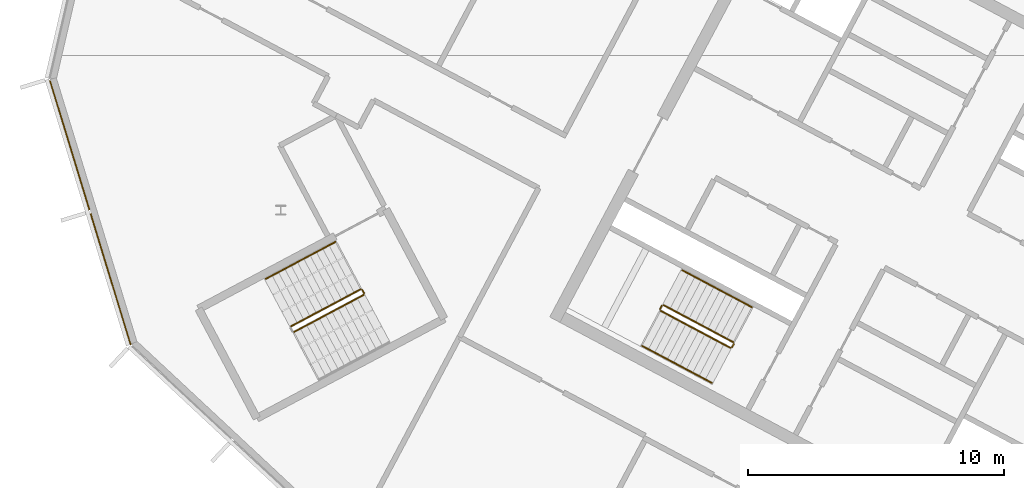
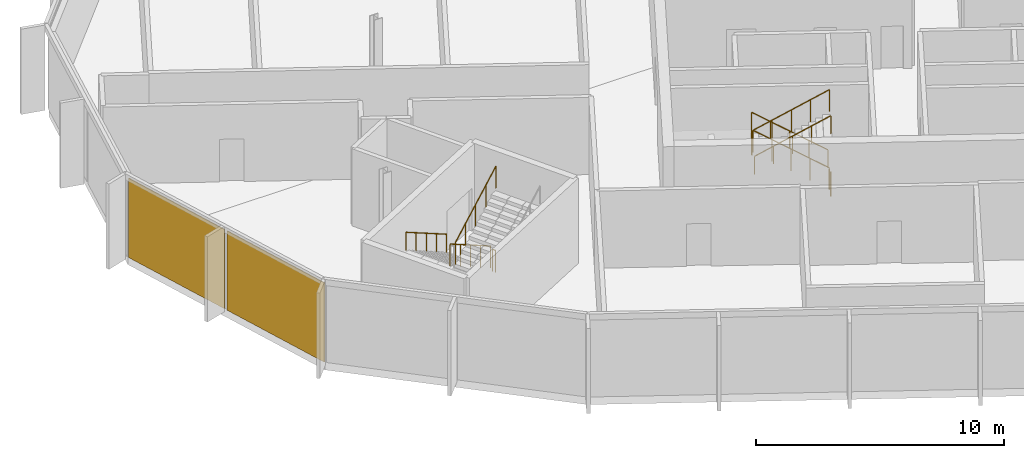
# One storey, part 11 of 16: 10 railings, 2 coverings, 1 element without a shape of its own.
"""IFC4 building model written with IfcOpenShell, lengths in metres."""

from ifc_helpers import new_model, si_unit, direction, frame, origin, origin_2d, place, context, subcontext, project, spatial, polyline, rectangle, outline, extrude, material, layer, layer_set, type_object, element, aggregate, save


model = new_model("IFC4")

# Units and contexts
model_context = context("Model", 3, precision=1e-05, world=origin(), true_north=direction((0.0, 1.0)))
body_context = subcontext(model_context, "Body", "Model", "MODEL_VIEW")
ifc_project = project(units=[si_unit("LENGTHUNIT", "METRE"), si_unit("AREAUNIT", "SQUARE_METRE"), si_unit("VOLUMEUNIT", "CUBIC_METRE"), si_unit("PLANEANGLEUNIT", "RADIAN"), si_unit("MASSUNIT", "GRAM", prefix="KILO")], contexts=[model_context])

# Site, building, storey
site_placement = place(None, origin())
site = spatial("IfcSite", under=ifc_project, at=site_placement, CompositionType="ELEMENT")
building_placement = place(site_placement, origin())
building = spatial("IfcBuilding", under=site, at=building_placement, Name="Cormorant Relay Tower", CompositionType="ELEMENT")
storey_placement = place(building_placement, frame((0.0, 0.0, 345.0)))
storey = spatial("IfcBuildingStorey", under=building, at=storey_placement, Name="C5", CompositionType="ELEMENT", Elevation=345.0)

# Curtain wall, coverings
ifc_material_1 = material(Name="Aluminium 6063-T6 anodised bronze", Category="aluminium")
ifc_layer_1 = layer(ifc_material_1, 0.199951171875)
ifc_layer_set_1 = layer_set([ifc_layer_1], Name="CW3 crown screen wall")
curtain_wall_type = type_object("IfcCurtainWallType", Name="CW3 crown screen wall", PredefinedType="NOTDEFINED", material=ifc_layer_set_1)
curtain_wall_placement = place(storey_placement, origin())
curtain_wall = element("IfcCurtainWall", 1, at=curtain_wall_placement, inside=storey, type_object=curtain_wall_type, Name="CW3 curtain wall 19", PredefinedType="NOTDEFINED")
ifc_material_2 = material(Name="Perforated bronze anodised aluminium screen", Category="aluminium")
ifc_layer_2 = layer(ifc_material_2, 0.0400390625)
ifc_layer_set_2 = layer_set([ifc_layer_2], Name="CW3 perforated bronze screen panel 40")
covering_type = type_object("IfcCoveringType", Name="CW3 perforated bronze screen panel 40", PredefinedType="CLADDING", material=ifc_layer_set_2)
covering_1_placement = place(storey_placement, frame((-59.9443359375, 17.78857421875, 0.0), z_axis=(0.0, 0.0, 1.0), x_axis=(0.292371704723, -0.956304755963, 0.0)))
covering_1 = element("IfcCovering", 2, at=covering_1_placement, type_object=covering_type, Name="CW3 panel X00", PredefinedType="CLADDING", context=body_context, shape_type="SweptSolid", body=[
    extrude(rectangle(XDim=5.28515625, YDim=0.0400390625, at=origin_2d()), origin(), (0.0, 0.0, 1.0), 3.89990234375),
])
covering_2_placement = place(storey_placement, frame((-58.344482421875, 12.55517578125, 0.0), z_axis=(0.0, 0.0, 1.0), x_axis=(0.292371704723, -0.956304755963, 0.0)))
covering_2 = element("IfcCovering", 3, at=covering_2_placement, type_object=covering_type, Name="CW3 panel X01", PredefinedType="CLADDING", context=body_context, shape_type="SweptSolid", body=[
    extrude(rectangle(XDim=5.360107421875, YDim=0.0400390625, at=origin_2d()), origin(), (0.0, 0.0, 1.0), 3.89990234375),
])
aggregate(curtain_wall, [covering_1, covering_2])

# Railings
ifc_material_3 = material(Name="Steel ASTM A572 Grade 50 (Fy 345 MPa)", Category="steel")
railing_type_1 = type_object("IfcRailingType", Name="Stair guard 1100", PredefinedType="GUARDRAIL", material=ifc_material_3)
railing_1_placement = place(storey_placement, frame((-33.9921875, 10.08935546875, 0.175048828125)))
element("IfcRailing", 4, at=railing_1_placement, inside=storey, type_object=railing_type_1, Name="C5 A2 stair guard 1", PredefinedType="GUARDRAIL", context=body_context, shape_type="SweptSolid", body=[
    extrude(outline(polyline([(0.022216796875, 0.00927734375), (0.00927734375, 0.022216796875), (-0.00927734375, 0.022216796875), (-0.022216796875, 0.00927734375), (-0.022216796875, -0.00927734375), (-0.00927734375, -0.022216796875), (0.00927734375, -0.022216796875), (0.022216796875, -0.00927734375), (0.022216796875, 0.00927734375)])), frame((0.0, 0.0, 1.076171875), z_axis=(-0.748727239859, 0.398124736663, 0.530003975787), x_axis=(-0.469489399267, -0.882938108802, 0.0)), (0.0, 0.0, 1.0), 3.632080078125),
    extrude(outline(polyline([(0.019287109375, 0.008056640625), (0.008056640625, 0.019287109375), (-0.008056640625, 0.019287109375), (-0.019287109375, 0.008056640625), (-0.019287109375, -0.008056640625), (-0.008056640625, -0.019287109375), (0.008056640625, -0.019287109375), (0.019287109375, -0.008056640625), (0.019287109375, 0.008056640625)])), origin(), (0.0, 0.0, 1.0), 1.052001953125),
    extrude(outline(polyline([(0.019287109375, 0.008056640625), (0.008056640625, 0.019287109375), (-0.008056640625, 0.019287109375), (-0.019287109375, 0.008056640625), (-0.019287109375, -0.008056640625), (-0.008056640625, -0.019287109375), (0.008056640625, -0.019287109375), (0.019287109375, -0.008056640625), (0.019287109375, 0.008056640625)])), frame((-0.679931640625, 0.361572265625, 0.481201171875)), (0.0, 0.0, 1.0), 1.052001953125),
    extrude(outline(polyline([(0.019287109375, 0.008056640625), (0.008056640625, 0.019287109375), (-0.008056640625, 0.019287109375), (-0.019287109375, 0.008056640625), (-0.019287109375, -0.008056640625), (-0.008056640625, -0.019287109375), (0.008056640625, -0.019287109375), (0.019287109375, -0.008056640625), (0.019287109375, 0.008056640625)])), frame((-1.35986328125, 0.72314453125, 0.96240234375)), (0.0, 0.0, 1.0), 1.052001953125),
    extrude(outline(polyline([(0.019287109375, 0.008056640625), (0.008056640625, 0.019287109375), (-0.008056640625, 0.019287109375), (-0.019287109375, 0.008056640625), (-0.019287109375, -0.008056640625), (-0.008056640625, -0.019287109375), (0.008056640625, -0.019287109375), (0.019287109375, -0.008056640625), (0.019287109375, 0.008056640625)])), frame((-2.03955078125, 1.08447265625, 1.44384765625)), (0.0, 0.0, 1.0), 1.052001953125),
    extrude(outline(polyline([(0.019287109375, 0.008056640625), (0.008056640625, 0.019287109375), (-0.008056640625, 0.019287109375), (-0.019287109375, 0.008056640625), (-0.019287109375, -0.008056640625), (-0.008056640625, -0.019287109375), (0.008056640625, -0.019287109375), (0.019287109375, -0.008056640625), (0.019287109375, 0.008056640625)])), frame((-2.719482421875, 1.446044921875, 1.925048828125)), (0.0, 0.0, 1.0), 1.052001953125),
])
railing_2_placement = place(storey_placement, frame((-36.779296875, 11.5146484375, 2.10009765625)))
element("IfcRailing", 5, at=railing_2_placement, inside=storey, type_object=railing_type_1, Name="C5 A2 stair guard 2", PredefinedType="GUARDRAIL", context=body_context, shape_type="SweptSolid", body=[
    extrude(outline(polyline([(0.022216796875, 0.00927734375), (0.00927734375, 0.022216796875), (-0.00927734375, 0.022216796875), (-0.022216796875, 0.00927734375), (-0.022216796875, -0.00927734375), (-0.00927734375, -0.022216796875), (0.00927734375, -0.022216796875), (0.022216796875, -0.00927734375), (0.022216796875, 0.00927734375)])), frame((0.0, 0.0, 1.076171875), z_axis=(-0.469234640946, -0.883073525669, 0.0), x_axis=(0.883073525669, -0.469234640946, 0.0)), (0.0, 0.0, 1.0), 0.14990234375),
    extrude(outline(polyline([(0.019287109375, 0.008056640625), (0.008056640625, 0.019287109375), (-0.008056640625, 0.019287109375), (-0.019287109375, 0.008056640625), (-0.019287109375, -0.008056640625), (-0.008056640625, -0.019287109375), (0.008056640625, -0.019287109375), (0.019287109375, -0.008056640625), (0.019287109375, 0.008056640625)])), origin(), (0.0, 0.0, 1.0), 1.052001953125),
    extrude(outline(polyline([(0.019287109375, 0.008056640625), (0.008056640625, 0.019287109375), (-0.008056640625, 0.019287109375), (-0.019287109375, 0.008056640625), (-0.019287109375, -0.008056640625), (-0.008056640625, -0.019287109375), (0.008056640625, -0.019287109375), (0.019287109375, -0.008056640625), (0.019287109375, 0.008056640625)])), frame((-0.0703125, -0.13232421875, 0.0)), (0.0, 0.0, 1.0), 1.052001953125),
])
railing_3_placement = place(storey_placement, frame((-36.8291015625, 11.314697265625, 2.27490234375)))
element("IfcRailing", 6, at=railing_3_placement, inside=storey, type_object=railing_type_1, Name="C5 A2 stair guard 3", PredefinedType="GUARDRAIL", context=body_context, shape_type="SweptSolid", body=[
    extrude(outline(polyline([(0.022216796875, 0.00927734375), (0.00927734375, 0.022216796875), (-0.00927734375, 0.022216796875), (-0.022216796875, 0.00927734375), (-0.022216796875, -0.00927734375), (-0.00927734375, -0.022216796875), (0.00927734375, -0.022216796875), (0.022216796875, -0.00927734375), (0.022216796875, 0.00927734375)])), frame((0.0, 0.0, 1.076171875), z_axis=(0.748727239859, -0.398124736663, 0.530003975787), x_axis=(0.469489399267, 0.882938108802, 0.0)), (0.0, 0.0, 1.0), 3.632080078125),
    extrude(outline(polyline([(0.019287109375, 0.008056640625), (0.008056640625, 0.019287109375), (-0.008056640625, 0.019287109375), (-0.019287109375, 0.008056640625), (-0.019287109375, -0.008056640625), (-0.008056640625, -0.019287109375), (0.008056640625, -0.019287109375), (0.019287109375, -0.008056640625), (0.019287109375, 0.008056640625)])), origin(), (0.0, 0.0, 1.0), 1.052001953125),
    extrude(outline(polyline([(0.019287109375, 0.008056640625), (0.008056640625, 0.019287109375), (-0.008056640625, 0.019287109375), (-0.019287109375, 0.008056640625), (-0.019287109375, -0.008056640625), (-0.008056640625, -0.019287109375), (0.008056640625, -0.019287109375), (0.019287109375, -0.008056640625), (0.019287109375, 0.008056640625)])), frame((0.679931640625, -0.361572265625, 0.481201171875)), (0.0, 0.0, 1.0), 1.052001953125),
    extrude(outline(polyline([(0.019287109375, 0.008056640625), (0.008056640625, 0.019287109375), (-0.008056640625, 0.019287109375), (-0.019287109375, 0.008056640625), (-0.019287109375, -0.008056640625), (-0.008056640625, -0.019287109375), (0.008056640625, -0.019287109375), (0.019287109375, -0.008056640625), (0.019287109375, 0.008056640625)])), frame((1.35986328125, -0.72314453125, 0.96240234375)), (0.0, 0.0, 1.0), 1.052001953125),
    extrude(outline(polyline([(0.019287109375, 0.008056640625), (0.008056640625, 0.019287109375), (-0.008056640625, 0.019287109375), (-0.019287109375, 0.008056640625), (-0.019287109375, -0.008056640625), (-0.008056640625, -0.019287109375), (0.008056640625, -0.019287109375), (0.019287109375, -0.008056640625), (0.019287109375, 0.008056640625)])), frame((2.03955078125, -1.08447265625, 1.44384765625)), (0.0, 0.0, 1.0), 1.052001953125),
    extrude(outline(polyline([(0.019287109375, 0.008056640625), (0.008056640625, 0.019287109375), (-0.008056640625, 0.019287109375), (-0.019287109375, 0.008056640625), (-0.019287109375, -0.008056640625), (-0.008056640625, -0.019287109375), (0.008056640625, -0.019287109375), (0.019287109375, -0.008056640625), (0.019287109375, 0.008056640625)])), frame((2.719482421875, -1.446044921875, 1.925048828125)), (0.0, 0.0, 1.0), 1.052001953125),
])
railing_4_placement = place(storey_placement, frame((-33.971435546875, 10.021728515625, 0.0)))
element("IfcRailing", 7, at=railing_4_placement, inside=storey, type_object=railing_type_1, Name="C5 A2 stair guard 4", PredefinedType="GUARDRAIL", context=body_context, shape_type="SweptSolid", body=[
    extrude(outline(polyline([(0.022216796875, 0.00927734375), (0.00927734375, 0.022216796875), (-0.00927734375, 0.022216796875), (-0.022216796875, 0.00927734375), (-0.022216796875, -0.00927734375), (-0.00927734375, -0.022216796875), (0.00927734375, -0.022216796875), (0.022216796875, -0.00927734375), (0.022216796875, 0.00927734375)])), frame((0.0, 0.0, 1.076171875), z_axis=(-0.470503732759, -0.882398003998, 0.0), x_axis=(0.882398003998, -0.470503732759, 0.0)), (0.0, 0.0, 1.0), 0.14990234375),
    extrude(outline(polyline([(0.019287109375, 0.008056640625), (0.008056640625, 0.019287109375), (-0.008056640625, 0.019287109375), (-0.019287109375, 0.008056640625), (-0.019287109375, -0.008056640625), (-0.008056640625, -0.019287109375), (0.008056640625, -0.019287109375), (0.019287109375, -0.008056640625), (0.019287109375, 0.008056640625)])), origin(), (0.0, 0.0, 1.0), 1.052001953125),
    extrude(outline(polyline([(0.019287109375, 0.008056640625), (0.008056640625, 0.019287109375), (-0.008056640625, 0.019287109375), (-0.019287109375, 0.008056640625), (-0.019287109375, -0.008056640625), (-0.008056640625, -0.019287109375), (0.008056640625, -0.019287109375), (0.019287109375, -0.008056640625), (0.019287109375, 0.008056640625)])), frame((-0.070556640625, -0.13232421875, 0.0)), (0.0, 0.0, 1.0), 1.052001953125),
])
railing_5_placement = place(storey_placement, frame((-48.5693359375, 12.155517578125, 0.175048828125)))
element("IfcRailing", 8, at=railing_5_placement, inside=storey, type_object=railing_type_1, Name="C5 RP1 stair guard 1", PredefinedType="GUARDRAIL", context=body_context, shape_type="SweptSolid", body=[
    extrude(outline(polyline([(0.022216796875, 0.00927734375), (0.00927734375, 0.022216796875), (-0.00927734375, 0.022216796875), (-0.022216796875, 0.00927734375), (-0.022216796875, -0.00927734375), (-0.00927734375, -0.022216796875), (0.00927734375, -0.022216796875), (0.022216796875, -0.00927734375), (0.022216796875, 0.00927734375)])), frame((0.0, 0.0, 1.076171875), z_axis=(-0.748727239859, -0.398124736663, 0.530003975787), x_axis=(0.469489399267, -0.882938108802, 0.0)), (0.0, 0.0, 1.0), 3.632080078125),
    extrude(outline(polyline([(0.019287109375, 0.008056640625), (0.008056640625, 0.019287109375), (-0.008056640625, 0.019287109375), (-0.019287109375, 0.008056640625), (-0.019287109375, -0.008056640625), (-0.008056640625, -0.019287109375), (0.008056640625, -0.019287109375), (0.019287109375, -0.008056640625), (0.019287109375, 0.008056640625)])), origin(), (0.0, 0.0, 1.0), 1.052001953125),
    extrude(outline(polyline([(0.019287109375, 0.008056640625), (0.008056640625, 0.019287109375), (-0.008056640625, 0.019287109375), (-0.019287109375, 0.008056640625), (-0.019287109375, -0.008056640625), (-0.008056640625, -0.019287109375), (0.008056640625, -0.019287109375), (0.019287109375, -0.008056640625), (0.019287109375, 0.008056640625)])), frame((-0.679931640625, -0.361572265625, 0.481201171875)), (0.0, 0.0, 1.0), 1.052001953125),
    extrude(outline(polyline([(0.019287109375, 0.008056640625), (0.008056640625, 0.019287109375), (-0.008056640625, 0.019287109375), (-0.019287109375, 0.008056640625), (-0.019287109375, -0.008056640625), (-0.008056640625, -0.019287109375), (0.008056640625, -0.019287109375), (0.019287109375, -0.008056640625), (0.019287109375, 0.008056640625)])), frame((-1.35986328125, -0.72314453125, 0.96240234375)), (0.0, 0.0, 1.0), 1.052001953125),
    extrude(outline(polyline([(0.019287109375, 0.008056640625), (0.008056640625, 0.019287109375), (-0.008056640625, 0.019287109375), (-0.019287109375, 0.008056640625), (-0.019287109375, -0.008056640625), (-0.008056640625, -0.019287109375), (0.008056640625, -0.019287109375), (0.019287109375, -0.008056640625), (0.019287109375, 0.008056640625)])), frame((-2.03955078125, -1.08447265625, 1.44384765625)), (0.0, 0.0, 1.0), 1.052001953125),
    extrude(outline(polyline([(0.019287109375, 0.008056640625), (0.008056640625, 0.019287109375), (-0.008056640625, 0.019287109375), (-0.019287109375, 0.008056640625), (-0.019287109375, -0.008056640625), (-0.008056640625, -0.019287109375), (0.008056640625, -0.019287109375), (0.019287109375, -0.008056640625), (0.019287109375, 0.008056640625)])), frame((-2.719482421875, -1.446044921875, 1.925048828125)), (0.0, 0.0, 1.0), 1.052001953125),
])
railing_6_placement = place(storey_placement, frame((-51.17138671875, 10.48876953125, 2.27490234375)))
element("IfcRailing", 9, at=railing_6_placement, inside=storey, type_object=railing_type_1, Name="C5 RP1 stair guard 3", PredefinedType="GUARDRAIL", context=body_context, shape_type="SweptSolid", body=[
    extrude(outline(polyline([(0.022216796875, 0.00927734375), (0.00927734375, 0.022216796875), (-0.00927734375, 0.022216796875), (-0.022216796875, 0.00927734375), (-0.022216796875, -0.00927734375), (-0.00927734375, -0.022216796875), (0.00927734375, -0.022216796875), (0.022216796875, -0.00927734375), (0.022216796875, 0.00927734375)])), frame((0.0, 0.0, 1.076171875), z_axis=(0.748747275397, 0.39806817173, 0.530018158408), x_axis=(-0.469427602063, 0.882970965786, 0.0)), (0.0, 0.0, 1.0), 3.632080078125),
    extrude(outline(polyline([(0.019287109375, 0.008056640625), (0.008056640625, 0.019287109375), (-0.008056640625, 0.019287109375), (-0.019287109375, 0.008056640625), (-0.019287109375, -0.008056640625), (-0.008056640625, -0.019287109375), (0.008056640625, -0.019287109375), (0.019287109375, -0.008056640625), (0.019287109375, 0.008056640625)])), origin(), (0.0, 0.0, 1.0), 1.052001953125),
    extrude(outline(polyline([(0.019287109375, 0.008056640625), (0.008056640625, 0.019287109375), (-0.008056640625, 0.019287109375), (-0.019287109375, 0.008056640625), (-0.019287109375, -0.008056640625), (-0.008056640625, -0.019287109375), (0.008056640625, -0.019287109375), (0.019287109375, -0.008056640625), (0.019287109375, 0.008056640625)])), frame((0.679931640625, 0.361328125, 0.481201171875)), (0.0, 0.0, 1.0), 1.052001953125),
    extrude(outline(polyline([(0.019287109375, 0.008056640625), (0.008056640625, 0.019287109375), (-0.008056640625, 0.019287109375), (-0.019287109375, 0.008056640625), (-0.019287109375, -0.008056640625), (-0.008056640625, -0.019287109375), (0.008056640625, -0.019287109375), (0.019287109375, -0.008056640625), (0.019287109375, 0.008056640625)])), frame((1.35986328125, 0.722900390625, 0.96240234375)), (0.0, 0.0, 1.0), 1.052001953125),
    extrude(outline(polyline([(0.019287109375, 0.008056640625), (0.008056640625, 0.019287109375), (-0.008056640625, 0.019287109375), (-0.019287109375, 0.008056640625), (-0.019287109375, -0.008056640625), (-0.008056640625, -0.019287109375), (0.008056640625, -0.019287109375), (0.019287109375, -0.008056640625), (0.019287109375, 0.008056640625)])), frame((2.03955078125, 1.08447265625, 1.44384765625)), (0.0, 0.0, 1.0), 1.052001953125),
    extrude(outline(polyline([(0.019287109375, 0.008056640625), (0.008056640625, 0.019287109375), (-0.008056640625, 0.019287109375), (-0.019287109375, 0.008056640625), (-0.019287109375, -0.008056640625), (-0.008056640625, -0.019287109375), (0.008056640625, -0.019287109375), (0.019287109375, -0.008056640625), (0.019287109375, 0.008056640625)])), frame((2.719482421875, 1.44580078125, 1.925048828125)), (0.0, 0.0, 1.0), 1.052001953125),
])
railing_7_placement = place(storey_placement, frame((-48.501708984375, 12.134765625, 0.0)))
element("IfcRailing", 10, at=railing_7_placement, inside=storey, type_object=railing_type_1, Name="C5 RP1 stair guard 4", PredefinedType="GUARDRAIL", context=body_context, shape_type="SweptSolid", body=[
    extrude(outline(polyline([(0.022216796875, 0.00927734375), (0.00927734375, 0.022216796875), (-0.00927734375, 0.022216796875), (-0.022216796875, 0.00927734375), (-0.022216796875, -0.00927734375), (-0.00927734375, -0.022216796875), (0.00927734375, -0.022216796875), (0.022216796875, -0.00927734375), (0.022216796875, 0.00927734375)])), frame((0.0, 0.0, 1.076171875), z_axis=(0.46856034887, -0.8834314911, 0.0), x_axis=(0.8834314911, 0.46856034887, 0.0)), (0.0, 0.0, 1.0), 0.150146484375),
    extrude(outline(polyline([(0.019287109375, 0.008056640625), (0.008056640625, 0.019287109375), (-0.008056640625, 0.019287109375), (-0.019287109375, 0.008056640625), (-0.019287109375, -0.008056640625), (-0.008056640625, -0.019287109375), (0.008056640625, -0.019287109375), (0.019287109375, -0.008056640625), (0.019287109375, 0.008056640625)])), origin(), (0.0, 0.0, 1.0), 1.052001953125),
    extrude(outline(polyline([(0.019287109375, 0.008056640625), (0.008056640625, 0.019287109375), (-0.008056640625, 0.019287109375), (-0.019287109375, 0.008056640625), (-0.019287109375, -0.008056640625), (-0.008056640625, -0.019287109375), (0.008056640625, -0.019287109375), (0.019287109375, -0.008056640625), (0.019287109375, 0.008056640625)])), frame((0.0703125, -0.132568359375, 0.0)), (0.0, 0.0, 1.0), 1.052001953125),
])
ifc_material_4 = material(Name="Steel ASTM A572 Grade 50 (Fy 345 MPa)", Category="steel")
railing_type_2 = type_object("IfcRailingType", Name="Stair handrail 900", PredefinedType="HANDRAIL", material=ifc_material_4)
railing_8_placement = place(storey_placement, frame((-33.264404296875, 11.4580078125, 0.175048828125)))
element("IfcRailing", 11, at=railing_8_placement, inside=storey, type_object=railing_type_2, Name="C5 A2 stair handrail 1", PredefinedType="HANDRAIL", context=body_context, shape_type="SweptSolid", body=[
    extrude(outline(polyline([(0.022216796875, 0.00927734375), (0.00927734375, 0.022216796875), (-0.00927734375, 0.022216796875), (-0.022216796875, 0.00927734375), (-0.022216796875, -0.00927734375), (-0.00927734375, -0.022216796875), (0.00927734375, -0.022216796875), (0.022216796875, -0.00927734375), (0.022216796875, 0.00927734375)])), frame((0.0, 0.0, 0.8759765625), z_axis=(-0.748747275397, 0.39806817173, 0.530018158408), x_axis=(-0.469427602063, -0.882970965786, 0.0)), (0.0, 0.0, 1.0), 3.632080078125),
    extrude(outline(polyline([(0.019287109375, 0.008056640625), (0.008056640625, 0.019287109375), (-0.008056640625, 0.019287109375), (-0.019287109375, 0.008056640625), (-0.019287109375, -0.008056640625), (-0.008056640625, -0.019287109375), (0.008056640625, -0.019287109375), (0.019287109375, -0.008056640625), (0.019287109375, 0.008056640625)])), origin(), (0.0, 0.0, 1.0), 0.851806640625),
    extrude(outline(polyline([(0.019287109375, 0.008056640625), (0.008056640625, 0.019287109375), (-0.008056640625, 0.019287109375), (-0.019287109375, 0.008056640625), (-0.019287109375, -0.008056640625), (-0.008056640625, -0.019287109375), (0.008056640625, -0.019287109375), (0.019287109375, -0.008056640625), (0.019287109375, 0.008056640625)])), frame((-0.679931640625, 0.361328125, 0.481201171875)), (0.0, 0.0, 1.0), 0.851806640625),
    extrude(outline(polyline([(0.019287109375, 0.008056640625), (0.008056640625, 0.019287109375), (-0.008056640625, 0.019287109375), (-0.019287109375, 0.008056640625), (-0.019287109375, -0.008056640625), (-0.008056640625, -0.019287109375), (0.008056640625, -0.019287109375), (0.019287109375, -0.008056640625), (0.019287109375, 0.008056640625)])), frame((-1.35986328125, 0.722900390625, 0.96240234375)), (0.0, 0.0, 1.0), 0.851806640625),
    extrude(outline(polyline([(0.019287109375, 0.008056640625), (0.008056640625, 0.019287109375), (-0.008056640625, 0.019287109375), (-0.019287109375, 0.008056640625), (-0.019287109375, -0.008056640625), (-0.008056640625, -0.019287109375), (0.008056640625, -0.019287109375), (0.019287109375, -0.008056640625), (0.019287109375, 0.008056640625)])), frame((-2.03955078125, 1.08447265625, 1.44384765625)), (0.0, 0.0, 1.0), 0.851806640625),
    extrude(outline(polyline([(0.019287109375, 0.008056640625), (0.008056640625, 0.019287109375), (-0.008056640625, 0.019287109375), (-0.019287109375, 0.008056640625), (-0.019287109375, -0.008056640625), (-0.008056640625, -0.019287109375), (0.008056640625, -0.019287109375), (0.019287109375, -0.008056640625), (0.019287109375, 0.008056640625)])), frame((-2.719482421875, 1.44580078125, 1.925048828125)), (0.0, 0.0, 1.0), 0.851806640625),
])
railing_9_placement = place(storey_placement, frame((-37.556640625, 9.946044921875, 2.27490234375)))
element("IfcRailing", 12, at=railing_9_placement, inside=storey, type_object=railing_type_2, Name="C5 A2 stair handrail 2", PredefinedType="HANDRAIL", context=body_context, shape_type="SweptSolid", body=[
    extrude(outline(polyline([(0.022216796875, 0.00927734375), (0.00927734375, 0.022216796875), (-0.00927734375, 0.022216796875), (-0.022216796875, 0.00927734375), (-0.022216796875, -0.00927734375), (-0.00927734375, -0.022216796875), (0.00927734375, -0.022216796875), (0.022216796875, -0.00927734375), (0.022216796875, 0.00927734375)])), frame((0.0, 0.0, 0.8759765625), z_axis=(0.748727239859, -0.398124736663, 0.530003975787), x_axis=(0.469489399267, 0.882938108802, 0.0)), (0.0, 0.0, 1.0), 3.632080078125),
    extrude(outline(polyline([(0.019287109375, 0.008056640625), (0.008056640625, 0.019287109375), (-0.008056640625, 0.019287109375), (-0.019287109375, 0.008056640625), (-0.019287109375, -0.008056640625), (-0.008056640625, -0.019287109375), (0.008056640625, -0.019287109375), (0.019287109375, -0.008056640625), (0.019287109375, 0.008056640625)])), origin(), (0.0, 0.0, 1.0), 0.851806640625),
    extrude(outline(polyline([(0.019287109375, 0.008056640625), (0.008056640625, 0.019287109375), (-0.008056640625, 0.019287109375), (-0.019287109375, 0.008056640625), (-0.019287109375, -0.008056640625), (-0.008056640625, -0.019287109375), (0.008056640625, -0.019287109375), (0.019287109375, -0.008056640625), (0.019287109375, 0.008056640625)])), frame((0.679931640625, -0.361572265625, 0.481201171875)), (0.0, 0.0, 1.0), 0.851806640625),
    extrude(outline(polyline([(0.019287109375, 0.008056640625), (0.008056640625, 0.019287109375), (-0.008056640625, 0.019287109375), (-0.019287109375, 0.008056640625), (-0.019287109375, -0.008056640625), (-0.008056640625, -0.019287109375), (0.008056640625, -0.019287109375), (0.019287109375, -0.008056640625), (0.019287109375, 0.008056640625)])), frame((1.35986328125, -0.72314453125, 0.96240234375)), (0.0, 0.0, 1.0), 0.851806640625),
    extrude(outline(polyline([(0.019287109375, 0.008056640625), (0.008056640625, 0.019287109375), (-0.008056640625, 0.019287109375), (-0.019287109375, 0.008056640625), (-0.019287109375, -0.008056640625), (-0.008056640625, -0.019287109375), (0.008056640625, -0.019287109375), (0.019287109375, -0.008056640625), (0.019287109375, 0.008056640625)])), frame((2.03955078125, -1.08447265625, 1.44384765625)), (0.0, 0.0, 1.0), 0.851806640625),
    extrude(outline(polyline([(0.019287109375, 0.008056640625), (0.008056640625, 0.019287109375), (-0.008056640625, 0.019287109375), (-0.019287109375, 0.008056640625), (-0.019287109375, -0.008056640625), (-0.008056640625, -0.019287109375), (0.008056640625, -0.019287109375), (0.019287109375, -0.008056640625), (0.019287109375, 0.008056640625)])), frame((2.719482421875, -1.446044921875, 1.925048828125)), (0.0, 0.0, 1.0), 0.851806640625),
])
railing_10_placement = place(storey_placement, frame((-49.55517578125, 14.009521484375, 0.175048828125)))
element("IfcRailing", 13, at=railing_10_placement, inside=storey, type_object=railing_type_2, Name="C5 RP1 stair handrail 1", PredefinedType="HANDRAIL", context=body_context, shape_type="SweptSolid", body=[
    extrude(outline(polyline([(0.022216796875, 0.00927734375), (0.00927734375, 0.022216796875), (-0.00927734375, 0.022216796875), (-0.022216796875, 0.00927734375), (-0.022216796875, -0.00927734375), (-0.00927734375, -0.022216796875), (0.00927734375, -0.022216796875), (0.022216796875, -0.00927734375), (0.022216796875, 0.00927734375)])), frame((0.0, 0.0, 0.8759765625), z_axis=(-0.748747275397, -0.39806817173, 0.530018158408), x_axis=(0.469427602063, -0.882970965786, 0.0)), (0.0, 0.0, 1.0), 3.632080078125),
    extrude(outline(polyline([(0.019287109375, 0.008056640625), (0.008056640625, 0.019287109375), (-0.008056640625, 0.019287109375), (-0.019287109375, 0.008056640625), (-0.019287109375, -0.008056640625), (-0.008056640625, -0.019287109375), (0.008056640625, -0.019287109375), (0.019287109375, -0.008056640625), (0.019287109375, 0.008056640625)])), origin(), (0.0, 0.0, 1.0), 0.851806640625),
    extrude(outline(polyline([(0.019287109375, 0.008056640625), (0.008056640625, 0.019287109375), (-0.008056640625, 0.019287109375), (-0.019287109375, 0.008056640625), (-0.019287109375, -0.008056640625), (-0.008056640625, -0.019287109375), (0.008056640625, -0.019287109375), (0.019287109375, -0.008056640625), (0.019287109375, 0.008056640625)])), frame((-0.679931640625, -0.361328125, 0.481201171875)), (0.0, 0.0, 1.0), 0.851806640625),
    extrude(outline(polyline([(0.019287109375, 0.008056640625), (0.008056640625, 0.019287109375), (-0.008056640625, 0.019287109375), (-0.019287109375, 0.008056640625), (-0.019287109375, -0.008056640625), (-0.008056640625, -0.019287109375), (0.008056640625, -0.019287109375), (0.019287109375, -0.008056640625), (0.019287109375, 0.008056640625)])), frame((-1.35986328125, -0.722900390625, 0.96240234375)), (0.0, 0.0, 1.0), 0.851806640625),
    extrude(outline(polyline([(0.019287109375, 0.008056640625), (0.008056640625, 0.019287109375), (-0.008056640625, 0.019287109375), (-0.019287109375, 0.008056640625), (-0.019287109375, -0.008056640625), (-0.008056640625, -0.019287109375), (0.008056640625, -0.019287109375), (0.019287109375, -0.008056640625), (0.019287109375, 0.008056640625)])), frame((-2.03955078125, -1.08447265625, 1.44384765625)), (0.0, 0.0, 1.0), 0.851806640625),
    extrude(outline(polyline([(0.019287109375, 0.008056640625), (0.008056640625, 0.019287109375), (-0.008056640625, 0.019287109375), (-0.019287109375, 0.008056640625), (-0.019287109375, -0.008056640625), (-0.008056640625, -0.019287109375), (0.008056640625, -0.019287109375), (0.019287109375, -0.008056640625), (0.019287109375, 0.008056640625)])), frame((-2.719482421875, -1.44580078125, 1.925048828125)), (0.0, 0.0, 1.0), 0.851806640625),
])

save(model, "model.ifc")
